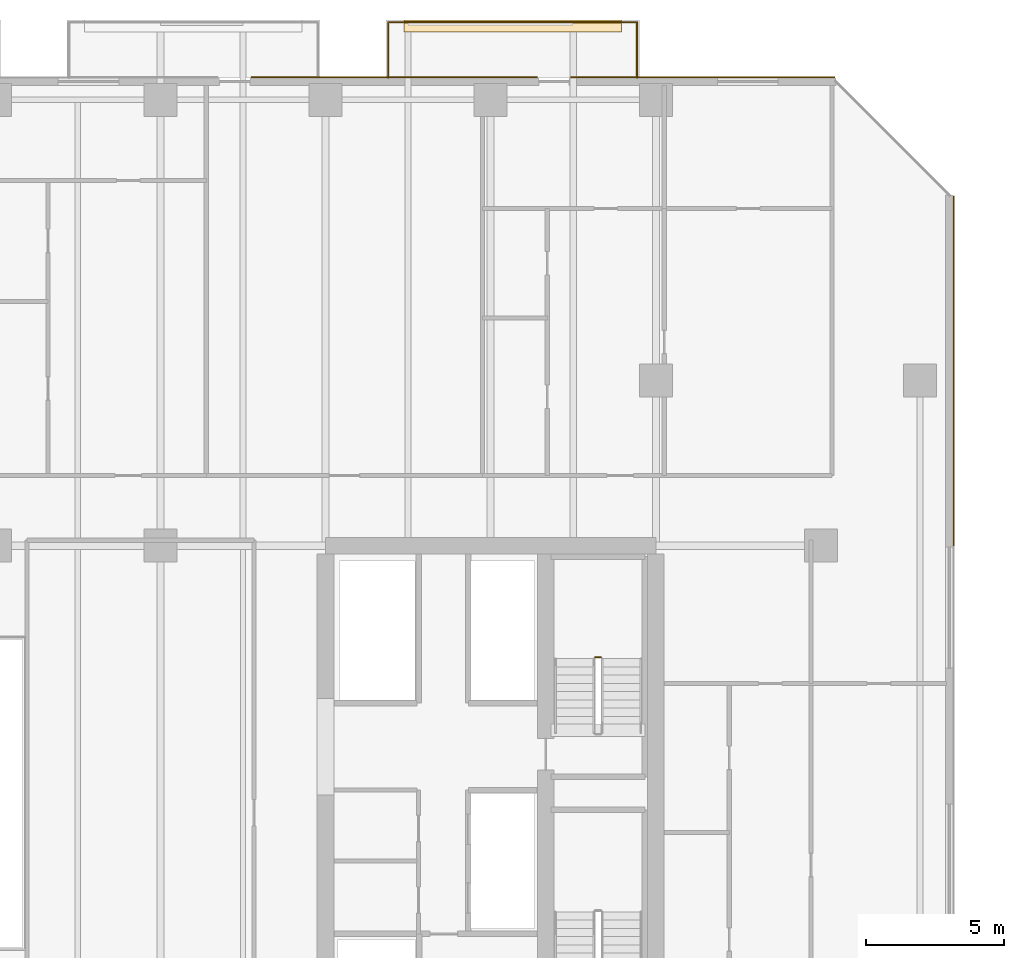
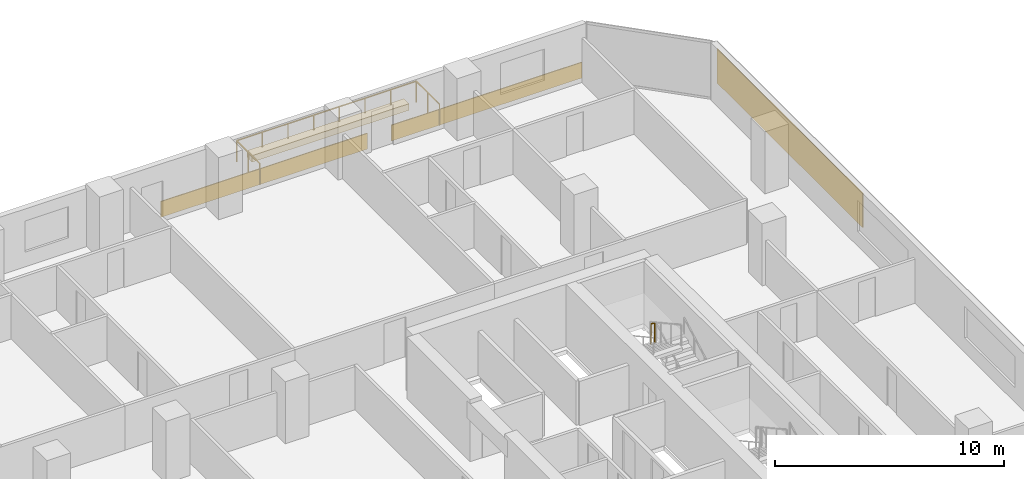
# One storey, part 33 of 33: 4 coverings, 2 railings.
"""IFC4 building model written with IfcOpenShell, lengths in metres."""

from ifc_helpers import new_model, si_unit, direction, frame, origin, origin_2d, place, context, subcontext, project, spatial, polyline, rectangle, outline, extrude, material, layer, layer_set, type_object, element, save


model = new_model("IFC4")

# Units and contexts
model_context = context("Model", 3, precision=1e-05, world=origin(), true_north=direction((0.0, 1.0)))
body_context = subcontext(model_context, "Body", "Model", "MODEL_VIEW")
ifc_project = project(units=[si_unit("LENGTHUNIT", "METRE"), si_unit("AREAUNIT", "SQUARE_METRE"), si_unit("VOLUMEUNIT", "CUBIC_METRE"), si_unit("PLANEANGLEUNIT", "RADIAN"), si_unit("MASSUNIT", "GRAM", prefix="KILO")], contexts=[model_context])

# Site, building, storey
site_placement = place(None, origin())
site = spatial("IfcSite", under=ifc_project, at=site_placement, CompositionType="ELEMENT")
building_placement = place(site_placement, origin())
building = spatial("IfcBuilding", under=site, at=building_placement, Name="Tanjung Sevakor Pilgrim Tower", CompositionType="ELEMENT")
storey_placement = place(building_placement, frame((0.0, 0.0, 32.340087890625)))
storey = spatial("IfcBuildingStorey", under=building, at=storey_placement, Name="L08", CompositionType="ELEMENT", Elevation=32.340087890625)

# Coverings
ifc_material_1 = material(Name="Reconstructed Limestone Cladding", Category="masonry")
ifc_layer_1 = layer(ifc_material_1, 0.044921875)
ifc_layer_set_1 = layer_set([ifc_layer_1], Name="COV-CLAD-LIMESTONE")
covering_type_1 = type_object("IfcCoveringType", Name="COV-CLAD-LIMESTONE", PredefinedType="CLADDING", material=ifc_layer_set_1)
covering_1_placement = place(storey_placement, frame((100.822509765625, 48.950927734375, 0.849853515625), z_axis=(0.0, 0.0, 1.0), x_axis=(0.0, 1.0, 0.0)))
element("IfcCovering", 1, at=covering_1_placement, inside=storey, type_object=covering_type_1, Name="L08 Warm Limestone Pier Panel EW-L08-MAIN-7-3", PredefinedType="CLADDING", context=body_context, shape_type="SweptSolid", body=[
    extrude(rectangle(XDim=12.701904296875, YDim=0.044921875, at=origin_2d()), origin(), (0.0, 0.0, 1.0), 1.81005859375),
])
covering_2_placement = place(storey_placement, frame((91.7060546875, 59.62255859375, 0.009765625), z_axis=(0.0, 0.0, 1.0), x_axis=(-1.0, 0.0, 0.0)))
element("IfcCovering", 2, at=covering_2_placement, inside=storey, type_object=covering_type_1, Name="L08 Warm Limestone Sill Spandrel EW-L08-MAIN-9-1", PredefinedType="CLADDING", context=body_context, shape_type="SweptSolid", body=[
    extrude(rectangle(XDim=9.592041015625, YDim=0.044921875, at=origin_2d()), origin(), (0.0, 0.0, 1.0), 0.840087890625),
])
covering_3_placement = place(storey_placement, frame((80.5, 59.62255859375, 0.009765625), z_axis=(0.0, 0.0, 1.0), x_axis=(-1.0, 0.0, 0.0)))
element("IfcCovering", 3, at=covering_3_placement, inside=storey, type_object=covering_type_1, Name="L08 Warm Limestone Sill Spandrel EW-L08-MAIN-9-2", PredefinedType="CLADDING", context=body_context, shape_type="SweptSolid", body=[
    extrude(rectangle(XDim=10.3798828125, YDim=0.044921875, at=origin_2d()), origin(), (0.0, 0.0, 1.0), 0.840087890625),
])
ifc_material_2 = material(Name="Vegetated Modular Planter Assembly", Category="organic")
ifc_layer_2 = layer(ifc_material_2, 0.35009765625)
ifc_layer_set_2 = layer_set([ifc_layer_2], Name="COV-GRN-TROUGH")
covering_type_2 = type_object("IfcCoveringType", Name="COV-GRN-TROUGH", PredefinedType="CLADDING", material=ifc_layer_set_2)
covering_4_placement = place(storey_placement, origin())
element("IfcCovering", 4, at=covering_4_placement, inside=storey, type_object=covering_type_2, Name="L08 Planted Landscape Hedge Trough BGRN-L08-MAIN-N4", PredefinedType="CLADDING", context=body_context, shape_type="SweptSolid", body=[
    extrude(outline(polyline([(80.85009765625, 61.260009765625), (88.75, 61.260009765625), (88.75, 61.699951171875), (80.85009765625, 61.699951171875), (80.85009765625, 61.260009765625)])), origin(), (0.0, 0.0, 1.0), 0.349853515625),
])

# Railings
ifc_material_3 = material(Name="Laminated Glass and Aluminium", Category="aluminium")
railing_type_1 = type_object("IfcRailingType", Name="RL-BAL-BALUST", PredefinedType="BALUSTRADE", material=ifc_material_3)
railing_1_placement = place(storey_placement, frame((80.280029296875, 59.60009765625, 0.0)))
element("IfcRailing", 5, at=railing_1_placement, inside=storey, type_object=railing_type_1, Name="L08 Loggia Balustrade MAIN-N4", PredefinedType="BALUSTRADE", context=body_context, shape_type="SweptSolid", body=[
    extrude(rectangle(XDim=0.0479, YDim=0.0479), frame((0.0, 0.0, 1.1259765625), z_axis=(0.0, 1.0, 0.0), x_axis=(-1.0, 0.0, 0.0)), (0.0, 0.0, 1.0), 2.02001953125),
    extrude(rectangle(XDim=0.0479, YDim=0.0479), frame((0.0, 2.02001953125, 1.1259765625), z_axis=(1.0, 0.0, 0.0), x_axis=(0.0, 1.0, 0.0)), (0.0, 0.0, 1.0), 9.0400390625),
    extrude(rectangle(XDim=0.0479, YDim=0.0479), frame((9.0400390625, 2.02001953125, 1.1259765625), z_axis=(0.0, -1.0, 0.0), x_axis=(1.0, 0.0, 0.0)), (0.0, 0.0, 1.0), 2.02001953125),
    extrude(rectangle(XDim=0.042, YDim=0.042), origin(), (0.0, 0.0, 1.0), 1.101806640625),
    extrude(rectangle(XDim=0.042, YDim=0.042), frame((0.0, 1.010009765625, 0.0)), (0.0, 0.0, 1.0), 1.101806640625),
    extrude(rectangle(XDim=0.042, YDim=0.042), frame((0.0, 2.02001953125, 0.0)), (0.0, 0.0, 1.0), 1.101806640625),
    extrude(rectangle(XDim=0.042, YDim=0.042), frame((1.29150390625, 2.02001953125, 0.0)), (0.0, 0.0, 1.0), 1.101806640625),
    extrude(rectangle(XDim=0.042, YDim=0.042), frame((2.582763671875, 2.02001953125, 0.0)), (0.0, 0.0, 1.0), 1.101806640625),
    extrude(rectangle(XDim=0.042, YDim=0.042), frame((3.874267578125, 2.02001953125, 0.0)), (0.0, 0.0, 1.0), 1.101806640625),
    extrude(rectangle(XDim=0.042, YDim=0.042), frame((5.165771484375, 2.02001953125, 0.0)), (0.0, 0.0, 1.0), 1.101806640625),
    extrude(rectangle(XDim=0.042, YDim=0.042), frame((6.457275390625, 2.02001953125, 0.0)), (0.0, 0.0, 1.0), 1.101806640625),
    extrude(rectangle(XDim=0.042, YDim=0.042), frame((7.74853515625, 2.02001953125, 0.0)), (0.0, 0.0, 1.0), 1.101806640625),
    extrude(rectangle(XDim=0.042, YDim=0.042), frame((9.0400390625, 2.02001953125, 0.0)), (0.0, 0.0, 1.0), 1.101806640625),
    extrude(rectangle(XDim=0.042, YDim=0.042), frame((9.0400390625, 1.010009765625, 0.0)), (0.0, 0.0, 1.0), 1.101806640625),
    extrude(rectangle(XDim=0.042, YDim=0.042), frame((9.0400390625, 0.0, 0.0)), (0.0, 0.0, 1.0), 1.101806640625),
])
ifc_material_4 = material(Name="Steel S355J2", Category="steel")
railing_type_2 = type_object("IfcRailingType", Name="RL-STAIR-GUARD", PredefinedType="GUARDRAIL", material=ifc_material_4)
railing_2_placement = place(storey_placement, frame((88.0, 38.550048828125, 1.64990234375)))
element("IfcRailing", 6, at=railing_2_placement, inside=storey, type_object=railing_type_2, Name="L08 TS-E2 stair guard 2", PredefinedType="GUARDRAIL", context=body_context, shape_type="SweptSolid", body=[
    extrude(rectangle(XDim=0.0479, YDim=0.0479), frame((0.0, 0.0, 1.076171875), z_axis=(-1.0, 0.0, 0.0), x_axis=(0.0, -1.0, 0.0)), (0.0, 0.0, 1.0), 0.199951171875),
    extrude(rectangle(XDim=0.042, YDim=0.042), origin(), (0.0, 0.0, 1.0), 1.052001953125),
    extrude(rectangle(XDim=0.042, YDim=0.042), frame((-0.199951171875, 0.0, 0.0)), (0.0, 0.0, 1.0), 1.052001953125),
])

save(model, "model.ifc")
